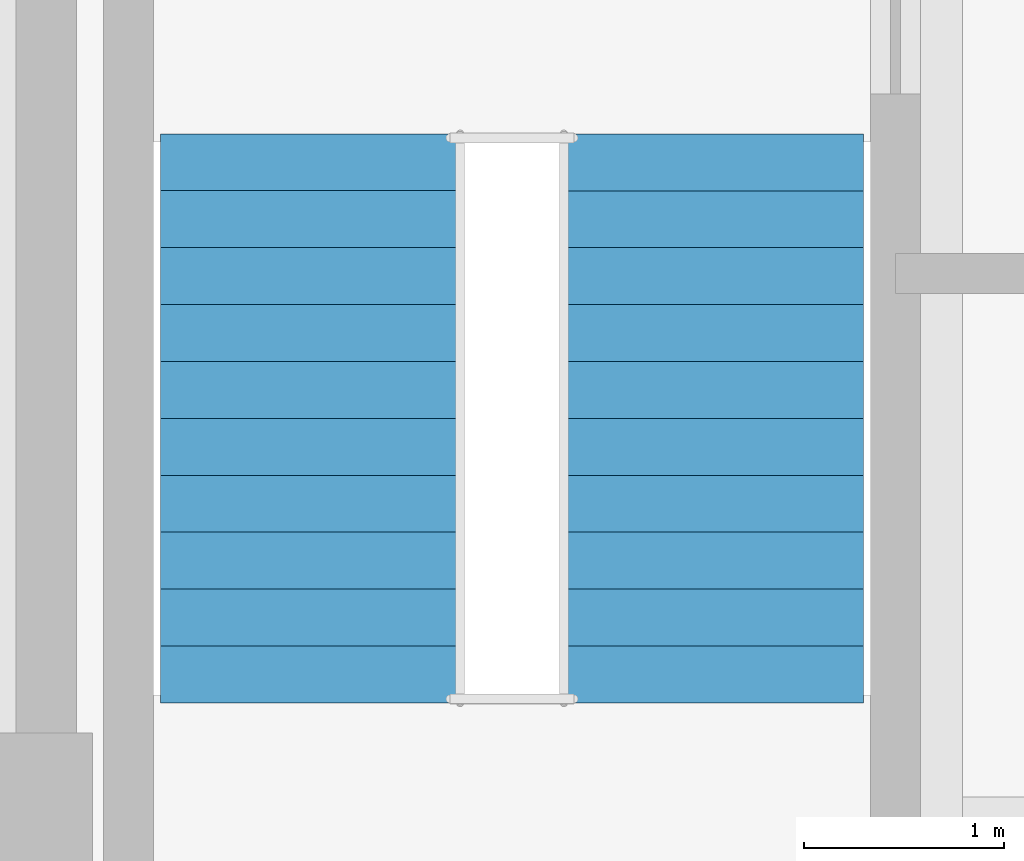
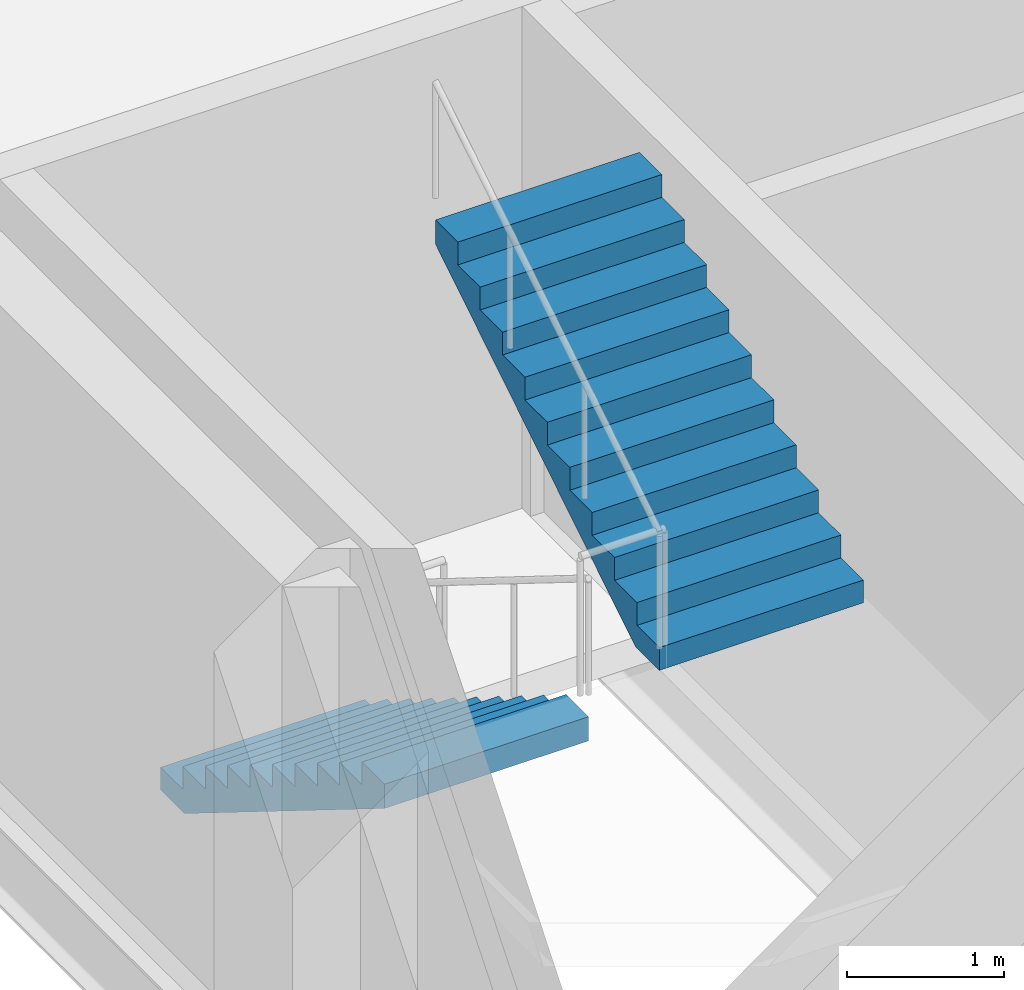
# One storey, part 6 of 7: 2 stair flights, 1 element without a shape of its own.
"""IFC4 building model written with IfcOpenShell, lengths in metres."""

from ifc_helpers import new_model, si_unit, direction, frame, origin, place, context, subcontext, project, spatial, polyline, outline, extrude, material, type_object, element, aggregate, save


model = new_model("IFC4")

# Units and contexts
model_context = context("Model", 3, precision=1e-05, world=origin(), true_north=direction((0.0, 1.0)))
body_context = subcontext(model_context, "Body", "Model", "MODEL_VIEW")
ifc_project = project(units=[si_unit("LENGTHUNIT", "METRE"), si_unit("AREAUNIT", "SQUARE_METRE"), si_unit("VOLUMEUNIT", "CUBIC_METRE"), si_unit("PLANEANGLEUNIT", "RADIAN"), si_unit("MASSUNIT", "GRAM", prefix="KILO")], contexts=[model_context])

# Site, building, storey
site_placement = place(None, origin())
site = spatial("IfcSite", under=ifc_project, at=site_placement, CompositionType="ELEMENT")
building_placement = place(site_placement, origin())
building = spatial("IfcBuilding", under=site, at=building_placement, Name="Mawjdan Bourse Tower", CompositionType="ELEMENT")
storey_placement = place(building_placement, frame((0.0, 0.0, 136.199951171875)))
storey = spatial("IfcBuildingStorey", under=building, at=storey_placement, Name="L32", CompositionType="ELEMENT", Elevation=136.199951171875)

# Stair, stair flights
ifc_material = material(Name="Concrete C50/60", Category="concrete")
stair_type = type_object("IfcStairType", Name="STR-CORE-1500", PredefinedType="HALF_TURN_STAIR", material=ifc_material)
stair_placement = place(storey_placement, origin())
stair = element("IfcStair", 1, at=stair_placement, inside=storey, type_object=stair_type, Name="L32 Exit Stair 3 (North Wing)", PredefinedType="HALF_TURN_STAIR")
stair_flight_type = type_object("IfcStairFlightType", Name="SFL-RC-1500", PredefinedType="STRAIGHT", material=ifc_material)
stair_flight_1_placement = place(storey_placement, frame((7.590087890625, 27.5, 0.0), z_axis=(0.0, 0.0, 1.0), x_axis=(0.0, -1.0, 0.0)))
stair_flight_1 = element("IfcStairFlight", 2, at=stair_flight_1_placement, type_object=stair_flight_type, Name="ST3-L32 flight 1", NumberOfRisers=11, NumberOfTreads=10, PredefinedType="STRAIGHT", RiserHeight=0.177273, TreadLength=0.285, context=body_context, shape_type="SweptSolid", body=[
    extrude(outline(polyline([(0.0, 0.0), (0.0, 0.17724609375), (0.284912109375, 0.17724609375), (0.284912109375, 0.3544921875), (0.570068359375, 0.3544921875), (0.570068359375, 0.53173828125), (0.85498046875, 0.53173828125), (0.85498046875, 0.708984375), (1.139892578125, 0.708984375), (1.139892578125, 0.886474609375), (1.425048828125, 0.886474609375), (1.425048828125, 1.063720703125), (1.7099609375, 1.063720703125), (1.7099609375, 1.240966796875), (1.9951171875, 1.240966796875), (1.9951171875, 1.418212890625), (2.280029296875, 1.418212890625), (2.280029296875, 1.595458984375), (2.56494140625, 1.595458984375), (2.56494140625, 1.772705078125), (2.85009765625, 1.772705078125), (2.85009765625, 1.949951171875), (2.85009765625, 1.58447265625), (0.302734375, 0.0), (0.0, 0.0)])), frame((0.0, 0.75, 0.0), z_axis=(0.0, -1.0, 0.0), x_axis=(1.0, 0.0, 0.0)), (0.0, 0.0, 1.0), 1.5),
])
stair_flight_2_placement = place(storey_placement, frame((9.610107421875, 24.64990234375, 1.949951171875), z_axis=(0.0, 0.0, 1.0), x_axis=(0.0, 1.0, 0.0)))
stair_flight_2 = element("IfcStairFlight", 3, at=stair_flight_2_placement, type_object=stair_flight_type, Name="ST3-L32 flight 2", NumberOfRisers=11, NumberOfTreads=10, PredefinedType="STRAIGHT", RiserHeight=0.177273, TreadLength=0.285, context=body_context, shape_type="SweptSolid", body=[
    extrude(outline(polyline([(0.0, 0.0), (0.0, 0.17724609375), (0.284912109375, 0.17724609375), (0.284912109375, 0.3544921875), (0.570068359375, 0.3544921875), (0.570068359375, 0.53173828125), (0.85498046875, 0.53173828125), (0.85498046875, 0.708984375), (1.139892578125, 0.708984375), (1.139892578125, 0.886474609375), (1.425048828125, 0.886474609375), (1.425048828125, 1.063720703125), (1.7099609375, 1.063720703125), (1.7099609375, 1.240966796875), (1.9951171875, 1.240966796875), (1.9951171875, 1.418212890625), (2.280029296875, 1.418212890625), (2.280029296875, 1.595458984375), (2.56494140625, 1.595458984375), (2.56494140625, 1.772705078125), (2.85009765625, 1.772705078125), (2.85009765625, 1.949951171875), (2.85009765625, 1.58447265625), (0.302734375, 0.0), (0.0, 0.0)])), frame((0.0, 0.75, 0.0), z_axis=(0.0, -1.0, 0.0), x_axis=(1.0, 0.0, 0.0)), (0.0, 0.0, 1.0), 1.5),
])
aggregate(stair, [stair_flight_1, stair_flight_2])

save(model, "model.ifc")
